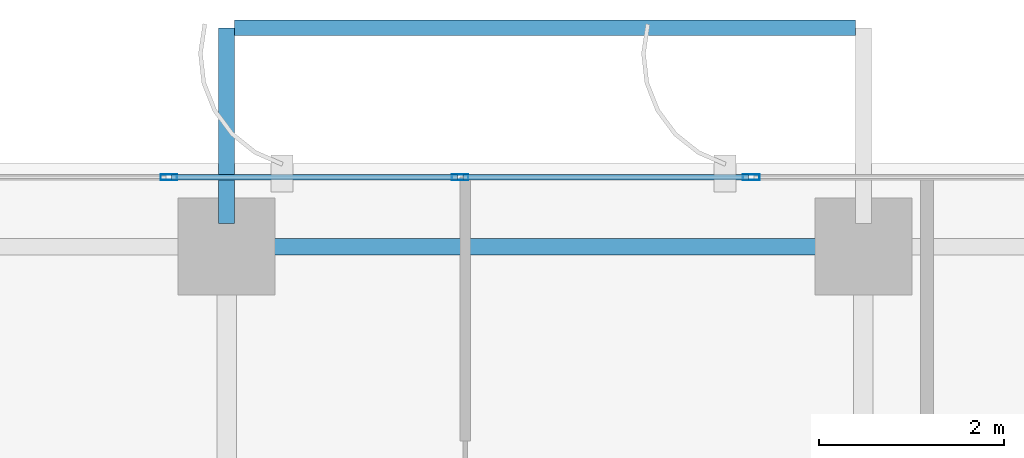
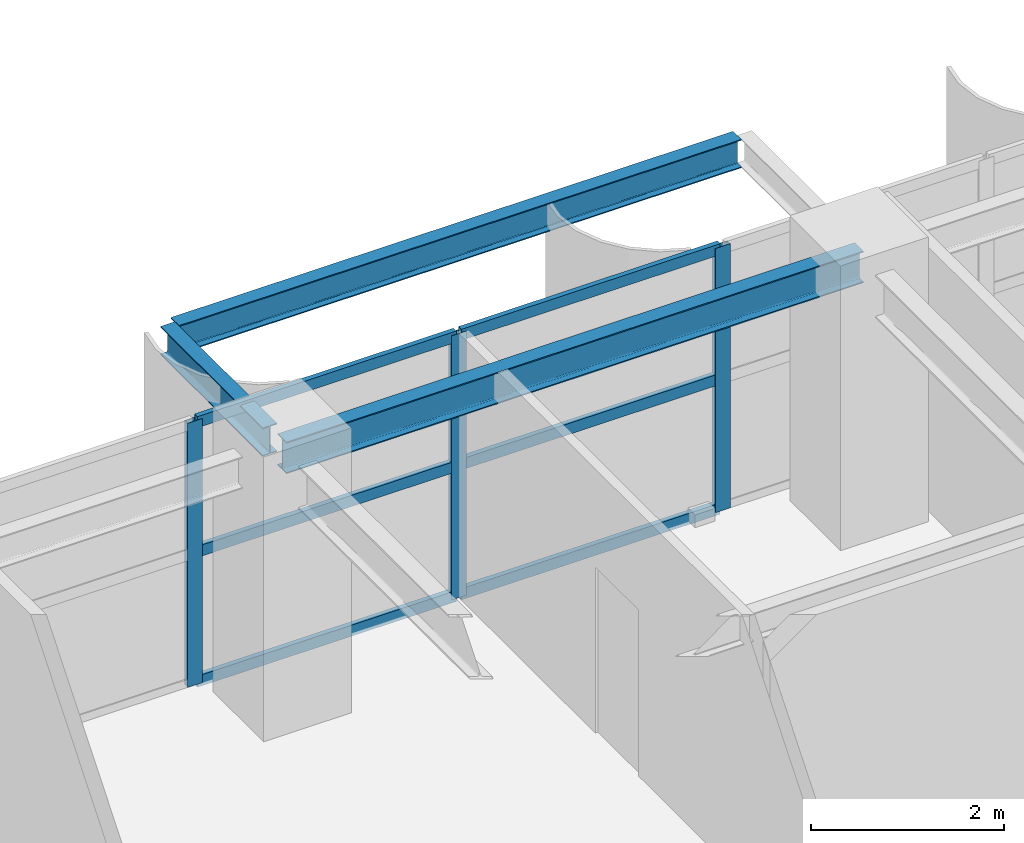
# One storey, part 12 of 25: 9 members, 3 beams, 1 element without a shape of its own.
"""IFC4 building model written with IfcOpenShell, lengths in metres."""

from ifc_helpers import new_model, si_unit, direction, frame, origin, origin_2d, place, context, subcontext, project, spatial, hollow_rectangle, i_section, extrude, source, transform, mapped, material, layer, layer_set, material_profile, profile_set, type_object, element, aggregate, save


model = new_model("IFC4")

# Units and contexts
model_context = context("Model", 3, precision=1e-05, world=origin(), true_north=direction((0.0, 1.0)))
body_context = subcontext(model_context, "Body", "Model", "MODEL_VIEW")
ifc_project = project(units=[si_unit("LENGTHUNIT", "METRE"), si_unit("AREAUNIT", "SQUARE_METRE"), si_unit("VOLUMEUNIT", "CUBIC_METRE"), si_unit("PLANEANGLEUNIT", "RADIAN"), si_unit("MASSUNIT", "GRAM", prefix="KILO")], contexts=[model_context])

# Site, building, storey
site_placement = place(None, origin())
site = spatial("IfcSite", under=ifc_project, at=site_placement, CompositionType="ELEMENT")
building_placement = place(site_placement, origin())
building = spatial("IfcBuilding", under=site, at=building_placement, Name="Khoralis Quay Care Tower", CompositionType="ELEMENT")
storey_placement = place(building_placement, frame((0.0, 0.0, 134.10009765625)))
storey = spatial("IfcBuildingStorey", under=building, at=storey_placement, Name="L35", CompositionType="ELEMENT", Elevation=134.10009765625)

# Beams
ifc_material_1 = material(Name="Steel S355", Category="steel")
ifc_material_profile_1 = material_profile(ifc_material_1, i_section(OverallWidth=0.179931640625, OverallDepth=0.39990234375, WebThickness=0.008544921875, FlangeThickness=0.013427734375, FilletRadius=0.02099609375, at=origin_2d()), Name="Steel S355")
ifc_profile_set_1 = profile_set([ifc_material_profile_1], Name="Steel S355")
beam_type_1 = type_object("IfcBeamType", Name="BM-IPE400", PredefinedType="SPANDREL", material=ifc_profile_set_1)
shared_shape_1 = source(origin(), body_context, "Body", "SweptSolid", [
    extrude(i_section(OverallWidth=0.179931640625, OverallDepth=0.39990234375, WebThickness=0.008544921875, FlangeThickness=0.013427734375, FilletRadius=0.02099609375, at=origin_2d()), origin(), (0.0, 0.0, 1.0), 6.89990234375),
])
beam_1_placement = place(storey_placement, frame((17.10009765625, 44.10009765625, 3.139892578125), z_axis=(1.0, 0.0, 0.0), x_axis=(0.0, 1.0, 0.0)))
element("IfcBeam", 1, at=beam_1_placement, inside=storey, type_object=beam_type_1, Name="BM-TSP-L35-08", PredefinedType="SPANDREL", context=body_context, shape_type="MappedRepresentation", body=[
    mapped(shared_shape_1, transform((0.0, 0.0, 0.0), scale=1.0)),
])
ifc_material_profile_2 = material_profile(ifc_material_1, i_section(OverallWidth=0.169921875, OverallDepth=0.360107421875, WebThickness=0.008056640625, FlangeThickness=0.0126953125, FilletRadius=0.01806640625, at=origin_2d()), Name="Steel S355")
ifc_profile_set_2 = profile_set([ifc_material_profile_2], Name="Steel S355")
beam_type_2 = type_object("IfcBeamType", Name="BM-IPE360", PredefinedType="SPANDREL", material=ifc_profile_set_2)
shared_shape_2 = source(origin(), body_context, "Body", "SweptSolid", [
    extrude(i_section(OverallWidth=0.169921875, OverallDepth=0.360107421875, WebThickness=0.008056640625, FlangeThickness=0.0126953125, FilletRadius=0.01806640625, at=origin_2d()), origin(), (0.0, 0.0, 1.0), 2.119873046875),
])
beam_2_placement = place(storey_placement, frame((17.10009765625, 44.35009765625, 3.163818359375), z_axis=(0.0, 1.0, 0.0), x_axis=(-1.0, 0.0, 0.0)))
element("IfcBeam", 2, at=beam_2_placement, inside=storey, type_object=beam_type_2, Name="L36 Balcony Cantilever Outrigger Beam 1", PredefinedType="SPANDREL", context=body_context, shape_type="MappedRepresentation", body=[
    mapped(shared_shape_2, transform((0.0, 0.0, 0.0), scale=1.0)),
])
shared_shape_3 = source(origin(), body_context, "Body", "SweptSolid", [
    extrude(i_section(OverallWidth=0.169921875, OverallDepth=0.360107421875, WebThickness=0.008056640625, FlangeThickness=0.0126953125, FilletRadius=0.01806640625, at=origin_2d()), origin(), (0.0, 0.0, 1.0), 6.72412109375),
])
beam_3_placement = place(storey_placement, frame((17.18798828125, 46.469970703125, 3.163818359375), z_axis=(1.0, 0.0, 0.0), x_axis=(0.0, 1.0, 0.0)))
element("IfcBeam", 3, at=beam_3_placement, inside=storey, type_object=beam_type_2, Name="L36 Balcony Edge Spandrel Beam P1E10", PredefinedType="SPANDREL", context=body_context, shape_type="MappedRepresentation", body=[
    mapped(shared_shape_3, transform((0.0, 0.0, 0.0), scale=1.0)),
])

# Curtain wall, members
ifc_material_2 = material(Name="Pale anodised aluminium", Category="aluminium")
ifc_layer = layer(ifc_material_2, 0.169921875)
ifc_layer_set = layer_set([ifc_layer], Name="Pale anodised aluminium")
curtain_wall_type = type_object("IfcCurtainWallType", Name="CW-SYS-Z2", PredefinedType="NOTDEFINED", material=ifc_layer_set)
curtain_wall_placement = place(storey_placement, origin())
curtain_wall = element("IfcCurtainWall", 4, at=curtain_wall_placement, inside=storey, type_object=curtain_wall_type, Name="L35 Unitised Curtain Wall CW-L35-P1-E10", PredefinedType="NOTDEFINED")
ifc_material_profile_3 = material_profile(ifc_material_2, hollow_rectangle(XDim=0.06494140625, YDim=0.179931640625, WallThickness=0.00390625, at=origin_2d()), Name="Pale anodised aluminium")
ifc_profile_set_3 = profile_set([ifc_material_profile_3], Name="Pale anodised aluminium")
member_type_1 = type_object("IfcMemberType", Name="CW-MUL-180", PredefinedType="MULLION", material=ifc_profile_set_3)
shared_shape_4 = source(origin(), body_context, "Body", "SweptSolid", [
    extrude(hollow_rectangle(XDim=0.06494140625, YDim=0.179931640625, WallThickness=0.00390625, at=origin_2d()), origin(), (0.0, 0.0, 1.0), 3.33984375),
])
member_1_placement = place(storey_placement, frame((22.784912109375, 44.85009765625, 0.0), z_axis=(0.0, 0.0, 1.0), x_axis=(0.0, -1.0, 0.0)))
member_1 = element("IfcMember", 5, at=member_1_placement, type_object=member_type_1, Name="CW2 mullion 4", PredefinedType="MULLION", context=body_context, shape_type="MappedRepresentation", body=[
    mapped(shared_shape_4, transform((0.0, 0.0, 0.0), scale=1.0)),
])
member_2_placement = place(storey_placement, frame((19.6298828125, 44.85009765625, 0.0), z_axis=(0.0, 0.0, 1.0), x_axis=(0.0, -1.0, 0.0)))
member_2 = element("IfcMember", 6, at=member_2_placement, type_object=member_type_1, Name="CW2 mullion 5", PredefinedType="MULLION", context=body_context, shape_type="MappedRepresentation", body=[
    mapped(shared_shape_4, transform((0.0, 0.0, 0.0), scale=1.0)),
])
member_3_placement = place(storey_placement, frame((16.47509765625, 44.85009765625, 0.0), z_axis=(0.0, 0.0, 1.0), x_axis=(0.0, -1.0, 0.0)))
member_3 = element("IfcMember", 7, at=member_3_placement, type_object=member_type_1, Name="CW2 mullion 6", PredefinedType="MULLION", context=body_context, shape_type="MappedRepresentation", body=[
    mapped(shared_shape_4, transform((0.0, 0.0, 0.0), scale=1.0)),
])
ifc_material_profile_4 = material_profile(ifc_material_2, hollow_rectangle(XDim=0.06005859375, YDim=0.139892578125, WallThickness=0.00390625, at=origin_2d()), Name="Pale anodised aluminium")
ifc_profile_set_4 = profile_set([ifc_material_profile_4], Name="Pale anodised aluminium")
member_type_2 = type_object("IfcMemberType", Name="CW-TRN-140", PredefinedType="USERDEFINED", material=ifc_profile_set_4)
shared_shape_5 = source(origin(), body_context, "Body", "SweptSolid", [
    extrude(hollow_rectangle(XDim=0.06005859375, YDim=0.139892578125, WallThickness=0.00390625, at=origin_2d()), origin(), (0.0, 0.0, 1.0), 3.094970703125),
])
member_4_placement = place(storey_placement, frame((22.7548828125, 44.85009765625, 0.02978515625), z_axis=(-1.0, 0.0, 0.0), x_axis=(0.0, -1.0, 0.0)))
member_4 = element("IfcMember", 8, at=member_4_placement, type_object=member_type_2, Name="CW2 transom 4.1", ObjectType="TRANSOM", PredefinedType="USERDEFINED", context=body_context, shape_type="MappedRepresentation", body=[
    mapped(shared_shape_5, transform((0.0, 0.0, 0.0), scale=1.0)),
])
member_5_placement = place(storey_placement, frame((22.7548828125, 44.85009765625, 1.669921875), z_axis=(-1.0, 0.0, 0.0), x_axis=(0.0, -1.0, 0.0)))
member_5 = element("IfcMember", 9, at=member_5_placement, type_object=member_type_2, Name="CW2 transom 4.2", ObjectType="TRANSOM", PredefinedType="USERDEFINED", context=body_context, shape_type="MappedRepresentation", body=[
    mapped(shared_shape_5, transform((0.0, 0.0, 0.0), scale=1.0)),
])
member_6_placement = place(storey_placement, frame((22.7548828125, 44.85009765625, 3.309814453125), z_axis=(-1.0, 0.0, 0.0), x_axis=(0.0, -1.0, 0.0)))
member_6 = element("IfcMember", 10, at=member_6_placement, type_object=member_type_2, Name="CW2 transom 4.3", ObjectType="TRANSOM", PredefinedType="USERDEFINED", context=body_context, shape_type="MappedRepresentation", body=[
    mapped(shared_shape_5, transform((0.0, 0.0, 0.0), scale=1.0)),
])
shared_shape_6 = source(origin(), body_context, "Body", "SweptSolid", [
    extrude(hollow_rectangle(XDim=0.06005859375, YDim=0.139892578125, WallThickness=0.00390625, at=origin_2d()), origin(), (0.0, 0.0, 1.0), 3.09521484375),
])
member_7_placement = place(storey_placement, frame((19.60009765625, 44.85009765625, 0.02978515625), z_axis=(-1.0, 0.0, 0.0), x_axis=(0.0, -1.0, 0.0)))
member_7 = element("IfcMember", 11, at=member_7_placement, type_object=member_type_2, Name="CW2 transom 5.1", ObjectType="TRANSOM", PredefinedType="USERDEFINED", context=body_context, shape_type="MappedRepresentation", body=[
    mapped(shared_shape_6, transform((0.0, 0.0, 0.0), scale=1.0)),
])
member_8_placement = place(storey_placement, frame((19.60009765625, 44.85009765625, 1.669921875), z_axis=(-1.0, 0.0, 0.0), x_axis=(0.0, -1.0, 0.0)))
member_8 = element("IfcMember", 12, at=member_8_placement, type_object=member_type_2, Name="CW2 transom 5.2", ObjectType="TRANSOM", PredefinedType="USERDEFINED", context=body_context, shape_type="MappedRepresentation", body=[
    mapped(shared_shape_6, transform((0.0, 0.0, 0.0), scale=1.0)),
])
member_9_placement = place(storey_placement, frame((19.60009765625, 44.85009765625, 3.309814453125), z_axis=(-1.0, 0.0, 0.0), x_axis=(0.0, -1.0, 0.0)))
member_9 = element("IfcMember", 13, at=member_9_placement, type_object=member_type_2, Name="CW2 transom 5.3", ObjectType="TRANSOM", PredefinedType="USERDEFINED", context=body_context, shape_type="MappedRepresentation", body=[
    mapped(shared_shape_6, transform((0.0, 0.0, 0.0), scale=1.0)),
])
aggregate(curtain_wall, [member_1, member_2, member_3, member_4, member_5, member_6, member_7, member_8, member_9])

save(model, "model.ifc")
